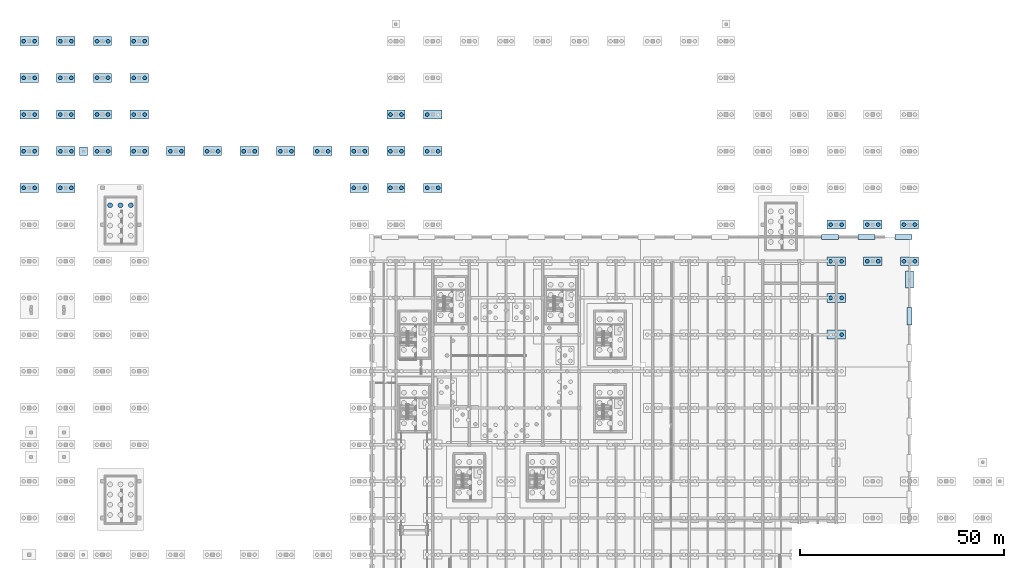
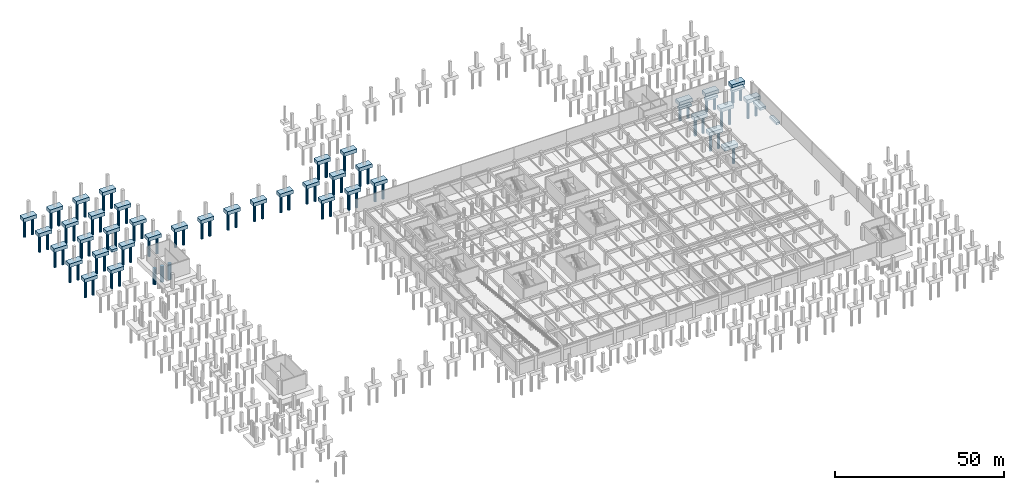
# One storey, part 8 of 27: 79 piles, 45 footings.
"""IFC4 building model written with IfcOpenShell, lengths in metres."""

from ifc_helpers import new_model, si_unit, direction, frame, origin, origin_2d, place, context, subcontext, project, spatial, polyline, circle, outline, extrude, material, layer, layer_set, material_profile, profile_set, type_object, element, save


model = new_model("IFC4")

# Units and contexts
model_context = context("Model", 3, precision=1e-05, world=origin(), true_north=direction((0.0, 1.0)))
body_context = subcontext(model_context, "Body", "Model", "MODEL_VIEW")
ifc_project = project(units=[si_unit("LENGTHUNIT", "METRE"), si_unit("AREAUNIT", "SQUARE_METRE"), si_unit("VOLUMEUNIT", "CUBIC_METRE"), si_unit("PLANEANGLEUNIT", "RADIAN"), si_unit("MASSUNIT", "GRAM", prefix="KILO")], contexts=[model_context])

# Site, building, storey
site_placement = place(None, origin())
site = spatial("IfcSite", under=ifc_project, at=site_placement, CompositionType="ELEMENT")
building_placement = place(site_placement, origin())
building = spatial("IfcBuilding", under=site, at=building_placement, Name="Dornveld Trade and Exhibition Forum", CompositionType="ELEMENT")
storey_placement = place(building_placement, frame((0.0, 0.0, -4.800048828125)))
storey = spatial("IfcBuildingStorey", under=building, at=storey_placement, Name="B1", CompositionType="ELEMENT", Elevation=-4.800048828125)

# Footings
ifc_material_1 = material(Name="Concrete C40/50", Category="concrete")
ifc_layer_1 = layer(ifc_material_1, 1.300048828125)
ifc_layer_set_1 = layer_set([ifc_layer_1], Name="Concrete C40/50")
footing_type_1 = type_object("IfcFootingType", Name="FT-CAP-2P", PredefinedType="PILE_CAP", material=ifc_layer_set_1)
footing_1_placement = place(storey_placement, frame((0.0, 0.0, -1.75)))
element("IfcFooting", 1, at=footing_1_placement, inside=storey, type_object=footing_type_1, Name="Multi-pile cap 22", PredefinedType="PILE_CAP", context=body_context, shape_type="SweptSolid", body=[
    extrude(outline(polyline([(-2.25, 124.89990234375), (2.25, 124.89990234375), (2.25, 127.10009765625), (-2.25, 127.10009765625), (-2.25, 124.89990234375)])), origin(), (0.0, 0.0, 1.0), 1.300048828125),
])
footing_2_placement = place(storey_placement, frame((0.0, 0.0, -1.75)))
element("IfcFooting", 2, at=footing_2_placement, inside=storey, type_object=footing_type_1, Name="Multi-pile cap 23", PredefinedType="PILE_CAP", context=body_context, shape_type="SweptSolid", body=[
    extrude(outline(polyline([(-2.25, 133.89990234375), (2.25, 133.89990234375), (2.25, 136.10009765625), (-2.25, 136.10009765625), (-2.25, 133.89990234375)])), origin(), (0.0, 0.0, 1.0), 1.300048828125),
])
footing_3_placement = place(storey_placement, frame((0.0, 0.0, -1.75)))
element("IfcFooting", 3, at=footing_3_placement, inside=storey, type_object=footing_type_1, Name="Multi-pile cap 24", PredefinedType="PILE_CAP", context=body_context, shape_type="SweptSolid", body=[
    extrude(outline(polyline([(-2.25, 142.89990234375), (2.25, 142.89990234375), (2.25, 145.10009765625), (-2.25, 145.10009765625), (-2.25, 142.89990234375)])), origin(), (0.0, 0.0, 1.0), 1.300048828125),
])
footing_4_placement = place(storey_placement, frame((0.0, 0.0, -1.75)))
element("IfcFooting", 4, at=footing_4_placement, inside=storey, type_object=footing_type_1, Name="Multi-pile cap 25", PredefinedType="PILE_CAP", context=body_context, shape_type="SweptSolid", body=[
    extrude(outline(polyline([(-2.25, 151.89990234375), (2.25, 151.89990234375), (2.25, 154.10009765625), (-2.25, 154.10009765625), (-2.25, 151.89990234375)])), origin(), (0.0, 0.0, 1.0), 1.300048828125),
])
footing_5_placement = place(storey_placement, frame((0.0, 0.0, -1.75)))
element("IfcFooting", 5, at=footing_5_placement, inside=storey, type_object=footing_type_1, Name="Multi-pile cap 26", PredefinedType="PILE_CAP", context=body_context, shape_type="SweptSolid", body=[
    extrude(outline(polyline([(-2.25, 160.89990234375), (2.25, 160.89990234375), (2.25, 163.10009765625), (-2.25, 163.10009765625), (-2.25, 160.89990234375)])), origin(), (0.0, 0.0, 1.0), 1.300048828125),
])
footing_6_placement = place(storey_placement, frame((0.0, 0.0, -1.75)))
element("IfcFooting", 6, at=footing_6_placement, inside=storey, type_object=footing_type_1, Name="Multi-pile cap 41", PredefinedType="PILE_CAP", context=body_context, shape_type="SweptSolid", body=[
    extrude(outline(polyline([(6.75, 124.89990234375), (11.25, 124.89990234375), (11.25, 127.10009765625), (6.75, 127.10009765625), (6.75, 124.89990234375)])), origin(), (0.0, 0.0, 1.0), 1.300048828125),
])
footing_7_placement = place(storey_placement, frame((0.0, 0.0, -1.75)))
element("IfcFooting", 7, at=footing_7_placement, inside=storey, type_object=footing_type_1, Name="Multi-pile cap 42", PredefinedType="PILE_CAP", context=body_context, shape_type="SweptSolid", body=[
    extrude(outline(polyline([(6.75, 133.89990234375), (11.25, 133.89990234375), (11.25, 136.10009765625), (6.75, 136.10009765625), (6.75, 133.89990234375)])), origin(), (0.0, 0.0, 1.0), 1.300048828125),
])
footing_8_placement = place(storey_placement, frame((0.0, 0.0, -1.75)))
element("IfcFooting", 8, at=footing_8_placement, inside=storey, type_object=footing_type_1, Name="Multi-pile cap 43", PredefinedType="PILE_CAP", context=body_context, shape_type="SweptSolid", body=[
    extrude(outline(polyline([(6.75, 142.89990234375), (11.25, 142.89990234375), (11.25, 145.10009765625), (6.75, 145.10009765625), (6.75, 142.89990234375)])), origin(), (0.0, 0.0, 1.0), 1.300048828125),
])
footing_9_placement = place(storey_placement, frame((0.0, 0.0, -1.75)))
element("IfcFooting", 9, at=footing_9_placement, inside=storey, type_object=footing_type_1, Name="Multi-pile cap 44", PredefinedType="PILE_CAP", context=body_context, shape_type="SweptSolid", body=[
    extrude(outline(polyline([(6.75, 151.89990234375), (11.25, 151.89990234375), (11.25, 154.10009765625), (6.75, 154.10009765625), (6.75, 151.89990234375)])), origin(), (0.0, 0.0, 1.0), 1.300048828125),
])
footing_10_placement = place(storey_placement, frame((0.0, 0.0, -1.75)))
element("IfcFooting", 10, at=footing_10_placement, inside=storey, type_object=footing_type_1, Name="Multi-pile cap 45", PredefinedType="PILE_CAP", context=body_context, shape_type="SweptSolid", body=[
    extrude(outline(polyline([(6.75, 160.89990234375), (11.25, 160.89990234375), (11.25, 163.10009765625), (6.75, 163.10009765625), (6.75, 160.89990234375)])), origin(), (0.0, 0.0, 1.0), 1.300048828125),
])
footing_11_placement = place(storey_placement, frame((0.0, 0.0, -1.75)))
element("IfcFooting", 11, at=footing_11_placement, inside=storey, type_object=footing_type_1, Name="Multi-pile cap 56", PredefinedType="PILE_CAP", context=body_context, shape_type="SweptSolid", body=[
    extrude(outline(polyline([(15.75, 133.89990234375), (20.25, 133.89990234375), (20.25, 136.10009765625), (15.75, 136.10009765625), (15.75, 133.89990234375)])), origin(), (0.0, 0.0, 1.0), 1.300048828125),
])
footing_12_placement = place(storey_placement, frame((0.0, 0.0, -1.75)))
element("IfcFooting", 12, at=footing_12_placement, inside=storey, type_object=footing_type_1, Name="Multi-pile cap 57", PredefinedType="PILE_CAP", context=body_context, shape_type="SweptSolid", body=[
    extrude(outline(polyline([(15.75, 142.89990234375), (20.25, 142.89990234375), (20.25, 145.10009765625), (15.75, 145.10009765625), (15.75, 142.89990234375)])), origin(), (0.0, 0.0, 1.0), 1.300048828125),
])
footing_13_placement = place(storey_placement, frame((0.0, 0.0, -1.75)))
element("IfcFooting", 13, at=footing_13_placement, inside=storey, type_object=footing_type_1, Name="Multi-pile cap 58", PredefinedType="PILE_CAP", context=body_context, shape_type="SweptSolid", body=[
    extrude(outline(polyline([(15.75, 151.89990234375), (20.25, 151.89990234375), (20.25, 154.10009765625), (15.75, 154.10009765625), (15.75, 151.89990234375)])), origin(), (0.0, 0.0, 1.0), 1.300048828125),
])
footing_14_placement = place(storey_placement, frame((0.0, 0.0, -1.75)))
element("IfcFooting", 14, at=footing_14_placement, inside=storey, type_object=footing_type_1, Name="Multi-pile cap 59", PredefinedType="PILE_CAP", context=body_context, shape_type="SweptSolid", body=[
    extrude(outline(polyline([(15.75, 160.89990234375), (20.25, 160.89990234375), (20.25, 163.10009765625), (15.75, 163.10009765625), (15.75, 160.89990234375)])), origin(), (0.0, 0.0, 1.0), 1.300048828125),
])
footing_15_placement = place(storey_placement, frame((0.0, 0.0, -1.75)))
element("IfcFooting", 15, at=footing_15_placement, inside=storey, type_object=footing_type_1, Name="Multi-pile cap 67", PredefinedType="PILE_CAP", context=body_context, shape_type="SweptSolid", body=[
    extrude(outline(polyline([(24.75, 133.89990234375), (29.25, 133.89990234375), (29.25, 136.10009765625), (24.75, 136.10009765625), (24.75, 133.89990234375)])), origin(), (0.0, 0.0, 1.0), 1.300048828125),
])
footing_16_placement = place(storey_placement, frame((0.0, 0.0, -1.75)))
element("IfcFooting", 16, at=footing_16_placement, inside=storey, type_object=footing_type_1, Name="Multi-pile cap 68", PredefinedType="PILE_CAP", context=body_context, shape_type="SweptSolid", body=[
    extrude(outline(polyline([(24.75, 142.89990234375), (29.25, 142.89990234375), (29.25, 145.10009765625), (24.75, 145.10009765625), (24.75, 142.89990234375)])), origin(), (0.0, 0.0, 1.0), 1.300048828125),
])
footing_17_placement = place(storey_placement, frame((0.0, 0.0, -1.75)))
element("IfcFooting", 17, at=footing_17_placement, inside=storey, type_object=footing_type_1, Name="Multi-pile cap 69", PredefinedType="PILE_CAP", context=body_context, shape_type="SweptSolid", body=[
    extrude(outline(polyline([(24.75, 151.89990234375), (29.25, 151.89990234375), (29.25, 154.10009765625), (24.75, 154.10009765625), (24.75, 151.89990234375)])), origin(), (0.0, 0.0, 1.0), 1.300048828125),
])
footing_18_placement = place(storey_placement, frame((0.0, 0.0, -1.75)))
element("IfcFooting", 18, at=footing_18_placement, inside=storey, type_object=footing_type_1, Name="Multi-pile cap 70", PredefinedType="PILE_CAP", context=body_context, shape_type="SweptSolid", body=[
    extrude(outline(polyline([(24.75, 160.89990234375), (29.25, 160.89990234375), (29.25, 163.10009765625), (24.75, 163.10009765625), (24.75, 160.89990234375)])), origin(), (0.0, 0.0, 1.0), 1.300048828125),
])
footing_19_placement = place(storey_placement, frame((0.0, 0.0, -1.75)))
element("IfcFooting", 19, at=footing_19_placement, inside=storey, type_object=footing_type_1, Name="Multi-pile cap 72", PredefinedType="PILE_CAP", context=body_context, shape_type="SweptSolid", body=[
    extrude(outline(polyline([(33.75, 133.89990234375), (38.25, 133.89990234375), (38.25, 136.10009765625), (33.75, 136.10009765625), (33.75, 133.89990234375)])), origin(), (0.0, 0.0, 1.0), 1.300048828125),
])
footing_20_placement = place(storey_placement, frame((0.0, 0.0, -1.75)))
element("IfcFooting", 20, at=footing_20_placement, inside=storey, type_object=footing_type_1, Name="Multi-pile cap 74", PredefinedType="PILE_CAP", context=body_context, shape_type="SweptSolid", body=[
    extrude(outline(polyline([(42.75, 133.89990234375), (47.25, 133.89990234375), (47.25, 136.10009765625), (42.75, 136.10009765625), (42.75, 133.89990234375)])), origin(), (0.0, 0.0, 1.0), 1.300048828125),
])
footing_21_placement = place(storey_placement, frame((0.0, 0.0, -1.75)))
element("IfcFooting", 21, at=footing_21_placement, inside=storey, type_object=footing_type_1, Name="Multi-pile cap 76", PredefinedType="PILE_CAP", context=body_context, shape_type="SweptSolid", body=[
    extrude(outline(polyline([(51.75, 133.89990234375), (56.25, 133.89990234375), (56.25, 136.10009765625), (51.75, 136.10009765625), (51.75, 133.89990234375)])), origin(), (0.0, 0.0, 1.0), 1.300048828125),
])
footing_22_placement = place(storey_placement, frame((0.0, 0.0, -1.75)))
element("IfcFooting", 22, at=footing_22_placement, inside=storey, type_object=footing_type_1, Name="Multi-pile cap 78", PredefinedType="PILE_CAP", context=body_context, shape_type="SweptSolid", body=[
    extrude(outline(polyline([(60.75, 133.89990234375), (65.25, 133.89990234375), (65.25, 136.10009765625), (60.75, 136.10009765625), (60.75, 133.89990234375)])), origin(), (0.0, 0.0, 1.0), 1.300048828125),
])
footing_23_placement = place(storey_placement, frame((0.0, 0.0, -1.75)))
element("IfcFooting", 23, at=footing_23_placement, inside=storey, type_object=footing_type_1, Name="Multi-pile cap 80", PredefinedType="PILE_CAP", context=body_context, shape_type="SweptSolid", body=[
    extrude(outline(polyline([(69.75, 133.89990234375), (74.25, 133.89990234375), (74.25, 136.10009765625), (69.75, 136.10009765625), (69.75, 133.89990234375)])), origin(), (0.0, 0.0, 1.0), 1.300048828125),
])
footing_24_placement = place(storey_placement, frame((0.0, 0.0, -1.75)))
element("IfcFooting", 24, at=footing_24_placement, inside=storey, type_object=footing_type_1, Name="Multi-pile cap 91", PredefinedType="PILE_CAP", context=body_context, shape_type="SweptSolid", body=[
    extrude(outline(polyline([(78.75, 124.89990234375), (83.25, 124.89990234375), (83.25, 127.10009765625), (78.75, 127.10009765625), (78.75, 124.89990234375)])), origin(), (0.0, 0.0, 1.0), 1.300048828125),
])
footing_25_placement = place(storey_placement, frame((0.0, 0.0, -1.75)))
element("IfcFooting", 25, at=footing_25_placement, inside=storey, type_object=footing_type_1, Name="Multi-pile cap 92", PredefinedType="PILE_CAP", context=body_context, shape_type="SweptSolid", body=[
    extrude(outline(polyline([(78.75, 133.89990234375), (83.25, 133.89990234375), (83.25, 136.10009765625), (78.75, 136.10009765625), (78.75, 133.89990234375)])), origin(), (0.0, 0.0, 1.0), 1.300048828125),
])
footing_26_placement = place(storey_placement, frame((0.0, 0.0, -1.75)))
element("IfcFooting", 26, at=footing_26_placement, inside=storey, type_object=footing_type_1, Name="Multi-pile cap 105", PredefinedType="PILE_CAP", context=body_context, shape_type="SweptSolid", body=[
    extrude(outline(polyline([(87.75, 124.89990234375), (92.25, 124.89990234375), (92.25, 127.10009765625), (87.75, 127.10009765625), (87.75, 124.89990234375)])), origin(), (0.0, 0.0, 1.0), 1.300048828125),
])
footing_27_placement = place(storey_placement, frame((0.0, 0.0, -1.75)))
element("IfcFooting", 27, at=footing_27_placement, inside=storey, type_object=footing_type_1, Name="Multi-pile cap 106", PredefinedType="PILE_CAP", context=body_context, shape_type="SweptSolid", body=[
    extrude(outline(polyline([(87.75, 133.89990234375), (92.25, 133.89990234375), (92.25, 136.10009765625), (87.75, 136.10009765625), (87.75, 133.89990234375)])), origin(), (0.0, 0.0, 1.0), 1.300048828125),
])
footing_28_placement = place(storey_placement, frame((0.0, 0.0, -1.75)))
element("IfcFooting", 28, at=footing_28_placement, inside=storey, type_object=footing_type_1, Name="Multi-pile cap 107", PredefinedType="PILE_CAP", context=body_context, shape_type="SweptSolid", body=[
    extrude(outline(polyline([(87.75, 142.89990234375), (92.25, 142.89990234375), (92.25, 145.10009765625), (87.75, 145.10009765625), (87.75, 142.89990234375)])), origin(), (0.0, 0.0, 1.0), 1.300048828125),
])
footing_29_placement = place(storey_placement, frame((0.0, 0.0, -1.75)))
element("IfcFooting", 29, at=footing_29_placement, inside=storey, type_object=footing_type_1, Name="Multi-pile cap 119", PredefinedType="PILE_CAP", context=body_context, shape_type="SweptSolid", body=[
    extrude(outline(polyline([(96.75, 124.89990234375), (101.25, 124.89990234375), (101.25, 127.10009765625), (96.75, 127.10009765625), (96.75, 124.89990234375)])), origin(), (0.0, 0.0, 1.0), 1.300048828125),
])
footing_30_placement = place(storey_placement, frame((0.0, 0.0, -1.75)))
element("IfcFooting", 30, at=footing_30_placement, inside=storey, type_object=footing_type_1, Name="Multi-pile cap 120", PredefinedType="PILE_CAP", context=body_context, shape_type="SweptSolid", body=[
    extrude(outline(polyline([(96.75, 133.89990234375), (101.25, 133.89990234375), (101.25, 136.10009765625), (96.75, 136.10009765625), (96.75, 133.89990234375)])), origin(), (0.0, 0.0, 1.0), 1.300048828125),
])
footing_31_placement = place(storey_placement, frame((0.0, 0.0, -1.75)))
element("IfcFooting", 31, at=footing_31_placement, inside=storey, type_object=footing_type_1, Name="Multi-pile cap 121", PredefinedType="PILE_CAP", context=body_context, shape_type="SweptSolid", body=[
    extrude(outline(polyline([(96.75, 142.89990234375), (101.25, 142.89990234375), (101.25, 145.10009765625), (96.75, 145.10009765625), (96.75, 142.89990234375)])), origin(), (0.0, 0.0, 1.0), 1.300048828125),
])
footing_32_placement = place(storey_placement, frame((0.0, 0.0, -1.75)))
element("IfcFooting", 32, at=footing_32_placement, inside=storey, type_object=footing_type_1, Name="Multi-pile cap 264", PredefinedType="PILE_CAP", context=body_context, shape_type="SweptSolid", body=[
    extrude(outline(polyline([(195.75, 88.89990234375), (200.25, 88.89990234375), (200.25, 91.10009765625), (195.75, 91.10009765625), (195.75, 88.89990234375)])), origin(), (0.0, 0.0, 1.0), 1.300048828125),
])
footing_33_placement = place(storey_placement, frame((0.0, 0.0, -1.75)))
element("IfcFooting", 33, at=footing_33_placement, inside=storey, type_object=footing_type_1, Name="Multi-pile cap 265", PredefinedType="PILE_CAP", context=body_context, shape_type="SweptSolid", body=[
    extrude(outline(polyline([(195.75, 97.89990234375), (200.25, 97.89990234375), (200.25, 100.10009765625), (195.75, 100.10009765625), (195.75, 97.89990234375)])), origin(), (0.0, 0.0, 1.0), 1.300048828125),
])
footing_34_placement = place(storey_placement, frame((0.0, 0.0, -1.75)))
element("IfcFooting", 34, at=footing_34_placement, inside=storey, type_object=footing_type_1, Name="Multi-pile cap 266", PredefinedType="PILE_CAP", context=body_context, shape_type="SweptSolid", body=[
    extrude(outline(polyline([(195.75, 106.89990234375), (200.25, 106.89990234375), (200.25, 109.10009765625), (195.75, 109.10009765625), (195.75, 106.89990234375)])), origin(), (0.0, 0.0, 1.0), 1.300048828125),
])
footing_35_placement = place(storey_placement, frame((0.0, 0.0, -1.75)))
element("IfcFooting", 35, at=footing_35_placement, inside=storey, type_object=footing_type_1, Name="Multi-pile cap 267", PredefinedType="PILE_CAP", context=body_context, shape_type="SweptSolid", body=[
    extrude(outline(polyline([(195.75, 115.89990234375), (200.25, 115.89990234375), (200.25, 118.10009765625), (195.75, 118.10009765625), (195.75, 115.89990234375)])), origin(), (0.0, 0.0, 1.0), 1.300048828125),
])
footing_36_placement = place(storey_placement, frame((0.0, 0.0, -1.75)))
element("IfcFooting", 36, at=footing_36_placement, inside=storey, type_object=footing_type_1, Name="Multi-pile cap 276", PredefinedType="PILE_CAP", context=body_context, shape_type="SweptSolid", body=[
    extrude(outline(polyline([(204.75, 106.89990234375), (209.25, 106.89990234375), (209.25, 109.10009765625), (204.75, 109.10009765625), (204.75, 106.89990234375)])), origin(), (0.0, 0.0, 1.0), 1.300048828125),
])
footing_37_placement = place(storey_placement, frame((0.0, 0.0, -1.75)))
element("IfcFooting", 37, at=footing_37_placement, inside=storey, type_object=footing_type_1, Name="Multi-pile cap 277", PredefinedType="PILE_CAP", context=body_context, shape_type="SweptSolid", body=[
    extrude(outline(polyline([(204.75, 115.89990234375), (209.25, 115.89990234375), (209.25, 118.10009765625), (204.75, 118.10009765625), (204.75, 115.89990234375)])), origin(), (0.0, 0.0, 1.0), 1.300048828125),
])
footing_38_placement = place(storey_placement, frame((0.0, 0.0, -1.75)))
element("IfcFooting", 38, at=footing_38_placement, inside=storey, type_object=footing_type_1, Name="Multi-pile cap 286", PredefinedType="PILE_CAP", context=body_context, shape_type="SweptSolid", body=[
    extrude(outline(polyline([(213.75, 106.89990234375), (218.25, 106.89990234375), (218.25, 109.10009765625), (213.75, 109.10009765625), (213.75, 106.89990234375)])), origin(), (0.0, 0.0, 1.0), 1.300048828125),
])
footing_39_placement = place(storey_placement, frame((0.0, 0.0, -1.75)))
element("IfcFooting", 39, at=footing_39_placement, inside=storey, type_object=footing_type_1, Name="Multi-pile cap 287", PredefinedType="PILE_CAP", context=body_context, shape_type="SweptSolid", body=[
    extrude(outline(polyline([(213.75, 115.89990234375), (218.25, 115.89990234375), (218.25, 118.10009765625), (213.75, 118.10009765625), (213.75, 115.89990234375)])), origin(), (0.0, 0.0, 1.0), 1.300048828125),
])
ifc_material_2 = material(Name="Concrete C40/50", Category="concrete")
ifc_layer_2 = layer(ifc_material_2, 0.89990234375)
ifc_layer_set_2 = layer_set([ifc_layer_2], Name="Concrete C40/50")
footing_type_2 = type_object("IfcFootingType", Name="FT-PAD-CAN", PredefinedType="PAD_FOOTING", material=ifc_layer_set_2)
footing_40_placement = place(storey_placement, frame((0.0, 0.0, -1.349853515625)))
element("IfcFooting", 40, at=footing_40_placement, inside=storey, type_object=footing_type_2, Name="Paving edge pad footing 4", PredefinedType="PAD_FOOTING", context=body_context, shape_type="SweptSolid", body=[
    extrude(outline(polyline([(12.300048828125, 134.0), (14.300048828125, 134.0), (14.300048828125, 136.0), (12.300048828125, 136.0), (12.300048828125, 134.0)])), origin(), (0.0, 0.0, 1.0), 0.89990234375),
])
ifc_material_3 = material(Name="Concrete C40/50", Category="concrete")
ifc_layer_3 = layer(ifc_material_3, 0.800048828125)
ifc_layer_set_3 = layer_set([ifc_layer_3], Name="Concrete C40/50")
footing_type_3 = type_object("IfcFootingType", Name="FT-STRIP-900", PredefinedType="STRIP_FOOTING", material=ifc_layer_set_3)
footing_41_placement = place(storey_placement, frame((0.0, 0.0, -1.25)))
element("IfcFooting", 41, at=footing_41_placement, inside=storey, type_object=footing_type_3, Name="Basement perimeter strip footing 11", PredefinedType="STRIP_FOOTING", context=body_context, shape_type="SweptSolid", body=[
    extrude(outline(polyline([(194.39990234375, 113.39990234375), (198.60009765625, 113.39990234375), (198.60009765625, 114.60009765625), (194.39990234375, 114.60009765625), (194.39990234375, 113.39990234375)])), origin(), (0.0, 0.0, 1.0), 0.800048828125),
])
footing_42_placement = place(storey_placement, frame((0.0, 0.0, -1.25)))
element("IfcFooting", 42, at=footing_42_placement, inside=storey, type_object=footing_type_3, Name="Basement perimeter strip footing 12", PredefinedType="STRIP_FOOTING", context=body_context, shape_type="SweptSolid", body=[
    extrude(outline(polyline([(203.39990234375, 113.39990234375), (207.60009765625, 113.39990234375), (207.60009765625, 114.60009765625), (203.39990234375, 114.60009765625), (203.39990234375, 113.39990234375)])), origin(), (0.0, 0.0, 1.0), 0.800048828125),
])
footing_43_placement = place(storey_placement, frame((0.0, 0.0, -1.25)))
element("IfcFooting", 43, at=footing_43_placement, inside=storey, type_object=footing_type_3, Name="Basement perimeter strip footing 13", PredefinedType="STRIP_FOOTING", context=body_context, shape_type="SweptSolid", body=[
    extrude(outline(polyline([(212.39990234375, 113.39990234375), (216.60009765625, 113.39990234375), (216.60009765625, 114.60009765625), (212.39990234375, 114.60009765625), (212.39990234375, 113.39990234375)])), origin(), (0.0, 0.0, 1.0), 0.800048828125),
])
footing_44_placement = place(storey_placement, frame((0.0, 0.0, -1.25)))
element("IfcFooting", 44, at=footing_44_placement, inside=storey, type_object=footing_type_3, Name="Basement perimeter strip footing 31", PredefinedType="STRIP_FOOTING", context=body_context, shape_type="SweptSolid", body=[
    extrude(outline(polyline([(215.39990234375, 92.39990234375), (216.60009765625, 92.39990234375), (216.60009765625, 96.60009765625), (215.39990234375, 96.60009765625), (215.39990234375, 92.39990234375)])), origin(), (0.0, 0.0, 1.0), 0.800048828125),
])
footing_45_placement = place(storey_placement, frame((0.0, 0.0, -1.349853515625)))
element("IfcFooting", 45, at=footing_45_placement, inside=storey, type_object=footing_type_3, Name="Basement perimeter strip footing 32", PredefinedType="STRIP_FOOTING", context=body_context, shape_type="SweptSolid", body=[
    extrude(outline(polyline([(215.0, 101.39990234375), (217.0, 101.39990234375), (217.0, 105.60009765625), (215.0, 105.60009765625), (215.0, 101.39990234375)])), origin(), (0.0, 0.0, 1.0), 0.89990234375),
])

# Piles
ifc_material_4 = material(Name="Concrete C40/50", Category="concrete")
ifc_material_profile_1 = material_profile(ifc_material_4, circle(Radius=0.60009765625, at=origin_2d()), Name="PILE D1200")
ifc_profile_set_1 = profile_set([ifc_material_profile_1], Name="Concrete C40/50")
pile_type_1 = type_object("IfcPileType", Name="PILE-B1200", PredefinedType="BORED", material=ifc_profile_set_1)
for number, where, z_axis, x_axis, name in (
    (46, (19.85009765625, 121.75, -2.14990234375), (0.0, 0.0, -1.0), (1.0, 0.0, 0.0), "CORE-10 rock-socketed bored pile 4"),
    (47, (22.39990234375, 121.75, -2.14990234375), (0.0, 0.0, -1.0), (1.0, 0.0, 0.0), "CORE-10 rock-socketed bored pile 8"),
    (48, (24.949951171875, 121.75, -2.14990234375), (0.0, 0.0, -1.0), (1.0, 0.0, 0.0), "CORE-10 rock-socketed bored pile 12"),
):
    element("IfcPile", number, at=place(storey_placement, frame(where, z_axis=z_axis, x_axis=x_axis)), inside=storey, type_object=pile_type_1, Name=name, PredefinedType="BORED", context=body_context, shape_type="SweptSolid", body=[
        extrude(circle(Radius=0.60009765625, at=origin_2d()), origin(), (0.0, 0.0, 1.0), 5.75),
    ])
ifc_material_5 = material(Name="Concrete C40/50", Category="concrete")
ifc_material_profile_2 = material_profile(ifc_material_5, circle(Radius=0.449951171875, at=origin_2d()), Name="PILE D900")
ifc_profile_set_2 = profile_set([ifc_material_profile_2], Name="Concrete C40/50")
pile_type_2 = type_object("IfcPileType", Name="PILE-B900", PredefinedType="BORED", material=ifc_profile_set_2)
for number, where, z_axis, x_axis, name in (
    (49, (-1.35009765625, 126.0, -1.64990234375), (0.0, 0.0, -1.0), (1.0, 0.0, 0.0), "Cap 22 rock-socketed pile 1"),
    (50, (1.35009765625, 126.0, -1.64990234375), (0.0, 0.0, -1.0), (1.0, 0.0, 0.0), "Cap 22 rock-socketed pile 2"),
    (51, (-1.35009765625, 135.0, -1.64990234375), (0.0, 0.0, -1.0), (1.0, 0.0, 0.0), "Cap 23 rock-socketed pile 1"),
    (52, (1.35009765625, 135.0, -1.64990234375), (0.0, 0.0, -1.0), (1.0, 0.0, 0.0), "Cap 23 rock-socketed pile 2"),
    (53, (-1.35009765625, 144.0, -1.64990234375), (0.0, 0.0, -1.0), (1.0, 0.0, 0.0), "Cap 24 rock-socketed pile 1"),
    (54, (1.35009765625, 144.0, -1.64990234375), (0.0, 0.0, -1.0), (1.0, 0.0, 0.0), "Cap 24 rock-socketed pile 2"),
    (55, (-1.35009765625, 153.0, -1.64990234375), (0.0, 0.0, -1.0), (1.0, 0.0, 0.0), "Cap 25 rock-socketed pile 1"),
    (56, (1.35009765625, 153.0, -1.64990234375), (0.0, 0.0, -1.0), (1.0, 0.0, 0.0), "Cap 25 rock-socketed pile 2"),
    (57, (-1.35009765625, 162.0, -1.64990234375), (0.0, 0.0, -1.0), (1.0, 0.0, 0.0), "Cap 26 rock-socketed pile 1"),
    (58, (1.35009765625, 162.0, -1.64990234375), (0.0, 0.0, -1.0), (1.0, 0.0, 0.0), "Cap 26 rock-socketed pile 2"),
    (59, (7.64990234375, 126.0, -1.64990234375), (0.0, 0.0, -1.0), (1.0, 0.0, 0.0), "Cap 41 rock-socketed pile 1"),
    (60, (10.35009765625, 126.0, -1.64990234375), (0.0, 0.0, -1.0), (1.0, 0.0, 0.0), "Cap 41 rock-socketed pile 2"),
    (61, (7.64990234375, 135.0, -1.64990234375), (0.0, 0.0, -1.0), (1.0, 0.0, 0.0), "Cap 42 rock-socketed pile 1"),
    (62, (10.35009765625, 135.0, -1.64990234375), (0.0, 0.0, -1.0), (1.0, 0.0, 0.0), "Cap 42 rock-socketed pile 2"),
    (63, (7.64990234375, 144.0, -1.64990234375), (0.0, 0.0, -1.0), (1.0, 0.0, 0.0), "Cap 43 rock-socketed pile 1"),
    (64, (10.35009765625, 144.0, -1.64990234375), (0.0, 0.0, -1.0), (1.0, 0.0, 0.0), "Cap 43 rock-socketed pile 2"),
    (65, (7.64990234375, 153.0, -1.64990234375), (0.0, 0.0, -1.0), (1.0, 0.0, 0.0), "Cap 44 rock-socketed pile 1"),
    (66, (10.35009765625, 153.0, -1.64990234375), (0.0, 0.0, -1.0), (1.0, 0.0, 0.0), "Cap 44 rock-socketed pile 2"),
    (67, (7.64990234375, 162.0, -1.64990234375), (0.0, 0.0, -1.0), (1.0, 0.0, 0.0), "Cap 45 rock-socketed pile 1"),
    (68, (10.35009765625, 162.0, -1.64990234375), (0.0, 0.0, -1.0), (1.0, 0.0, 0.0), "Cap 45 rock-socketed pile 2"),
    (69, (16.64990234375, 135.0, -1.64990234375), (0.0, 0.0, -1.0), (1.0, 0.0, 0.0), "Cap 56 rock-socketed pile 1"),
    (70, (19.35009765625, 135.0, -1.64990234375), (0.0, 0.0, -1.0), (1.0, 0.0, 0.0), "Cap 56 rock-socketed pile 2"),
    (71, (16.64990234375, 144.0, -1.64990234375), (0.0, 0.0, -1.0), (1.0, 0.0, 0.0), "Cap 57 rock-socketed pile 1"),
    (72, (19.35009765625, 144.0, -1.64990234375), (0.0, 0.0, -1.0), (1.0, 0.0, 0.0), "Cap 57 rock-socketed pile 2"),
    (73, (16.64990234375, 153.0, -1.64990234375), (0.0, 0.0, -1.0), (1.0, 0.0, 0.0), "Cap 58 rock-socketed pile 1"),
    (74, (19.35009765625, 153.0, -1.64990234375), (0.0, 0.0, -1.0), (1.0, 0.0, 0.0), "Cap 58 rock-socketed pile 2"),
    (75, (16.64990234375, 162.0, -1.64990234375), (0.0, 0.0, -1.0), (1.0, 0.0, 0.0), "Cap 59 rock-socketed pile 1"),
    (76, (19.35009765625, 162.0, -1.64990234375), (0.0, 0.0, -1.0), (1.0, 0.0, 0.0), "Cap 59 rock-socketed pile 2"),
    (77, (25.64990234375, 135.0, -1.64990234375), (0.0, 0.0, -1.0), (1.0, 0.0, 0.0), "Cap 67 rock-socketed pile 1"),
    (78, (28.35009765625, 135.0, -1.64990234375), (0.0, 0.0, -1.0), (1.0, 0.0, 0.0), "Cap 67 rock-socketed pile 2"),
    (79, (25.64990234375, 144.0, -1.64990234375), (0.0, 0.0, -1.0), (1.0, 0.0, 0.0), "Cap 68 rock-socketed pile 1"),
    (80, (28.35009765625, 144.0, -1.64990234375), (0.0, 0.0, -1.0), (1.0, 0.0, 0.0), "Cap 68 rock-socketed pile 2"),
    (81, (25.64990234375, 153.0, -1.64990234375), (0.0, 0.0, -1.0), (1.0, 0.0, 0.0), "Cap 69 rock-socketed pile 1"),
    (82, (28.35009765625, 153.0, -1.64990234375), (0.0, 0.0, -1.0), (1.0, 0.0, 0.0), "Cap 69 rock-socketed pile 2"),
    (83, (25.64990234375, 162.0, -1.64990234375), (0.0, 0.0, -1.0), (1.0, 0.0, 0.0), "Cap 70 rock-socketed pile 1"),
    (84, (28.35009765625, 162.0, -1.64990234375), (0.0, 0.0, -1.0), (1.0, 0.0, 0.0), "Cap 70 rock-socketed pile 2"),
    (85, (34.64990234375, 135.0, -1.64990234375), (0.0, 0.0, -1.0), (1.0, 0.0, 0.0), "Cap 72 rock-socketed pile 1"),
    (86, (37.35009765625, 135.0, -1.64990234375), (0.0, 0.0, -1.0), (1.0, 0.0, 0.0), "Cap 72 rock-socketed pile 2"),
    (87, (43.64990234375, 135.0, -1.64990234375), (0.0, 0.0, -1.0), (1.0, 0.0, 0.0), "Cap 74 rock-socketed pile 1"),
    (88, (46.35009765625, 135.0, -1.64990234375), (0.0, 0.0, -1.0), (1.0, 0.0, 0.0), "Cap 74 rock-socketed pile 2"),
    (89, (52.64990234375, 135.0, -1.64990234375), (0.0, 0.0, -1.0), (1.0, 0.0, 0.0), "Cap 76 rock-socketed pile 1"),
    (90, (55.35009765625, 135.0, -1.64990234375), (0.0, 0.0, -1.0), (1.0, 0.0, 0.0), "Cap 76 rock-socketed pile 2"),
    (91, (61.64990234375, 135.0, -1.64990234375), (0.0, 0.0, -1.0), (1.0, 0.0, 0.0), "Cap 78 rock-socketed pile 1"),
    (92, (64.35009765625, 135.0, -1.64990234375), (0.0, 0.0, -1.0), (1.0, 0.0, 0.0), "Cap 78 rock-socketed pile 2"),
    (93, (70.64990234375, 135.0, -1.64990234375), (0.0, 0.0, -1.0), (1.0, 0.0, 0.0), "Cap 80 rock-socketed pile 1"),
    (94, (73.35009765625, 135.0, -1.64990234375), (0.0, 0.0, -1.0), (1.0, 0.0, 0.0), "Cap 80 rock-socketed pile 2"),
    (95, (79.64990234375, 126.0, -1.64990234375), (0.0, 0.0, -1.0), (1.0, 0.0, 0.0), "Cap 91 rock-socketed pile 1"),
    (96, (82.35009765625, 126.0, -1.64990234375), (0.0, 0.0, -1.0), (1.0, 0.0, 0.0), "Cap 91 rock-socketed pile 2"),
    (97, (79.64990234375, 135.0, -1.64990234375), (0.0, 0.0, -1.0), (1.0, 0.0, 0.0), "Cap 92 rock-socketed pile 1"),
    (98, (82.35009765625, 135.0, -1.64990234375), (0.0, 0.0, -1.0), (1.0, 0.0, 0.0), "Cap 92 rock-socketed pile 2"),
    (99, (88.64990234375, 126.0, -1.64990234375), (0.0, 0.0, -1.0), (1.0, 0.0, 0.0), "Cap 105 rock-socketed pile 1"),
    (100, (91.35009765625, 126.0, -1.64990234375), (0.0, 0.0, -1.0), (1.0, 0.0, 0.0), "Cap 105 rock-socketed pile 2"),
    (101, (88.64990234375, 135.0, -1.64990234375), (0.0, 0.0, -1.0), (1.0, 0.0, 0.0), "Cap 106 rock-socketed pile 1"),
    (102, (91.35009765625, 135.0, -1.64990234375), (0.0, 0.0, -1.0), (1.0, 0.0, 0.0), "Cap 106 rock-socketed pile 2"),
    (103, (88.64990234375, 144.0, -1.64990234375), (0.0, 0.0, -1.0), (1.0, 0.0, 0.0), "Cap 107 rock-socketed pile 1"),
    (104, (91.35009765625, 144.0, -1.64990234375), (0.0, 0.0, -1.0), (1.0, 0.0, 0.0), "Cap 107 rock-socketed pile 2"),
    (105, (97.64990234375, 126.0, -1.64990234375), (0.0, 0.0, -1.0), (1.0, 0.0, 0.0), "Cap 119 rock-socketed pile 1"),
    (106, (100.35009765625, 126.0, -1.64990234375), (0.0, 0.0, -1.0), (1.0, 0.0, 0.0), "Cap 119 rock-socketed pile 2"),
    (107, (97.64990234375, 135.0, -1.64990234375), (0.0, 0.0, -1.0), (1.0, 0.0, 0.0), "Cap 120 rock-socketed pile 1"),
    (108, (100.35009765625, 135.0, -1.64990234375), (0.0, 0.0, -1.0), (1.0, 0.0, 0.0), "Cap 120 rock-socketed pile 2"),
    (109, (97.64990234375, 144.0, -1.64990234375), (0.0, 0.0, -1.0), (1.0, 0.0, 0.0), "Cap 121 rock-socketed pile 1"),
    (110, (199.35009765625, 90.0, -1.64990234375), (0.0, 0.0, -1.0), (1.0, 0.0, 0.0), "Cap 264 rock-socketed pile 2"),
    (111, (196.64990234375, 99.0, -1.64990234375), (0.0, 0.0, -1.0), (1.0, 0.0, 0.0), "Cap 265 rock-socketed pile 1"),
    (112, (199.35009765625, 99.0, -1.64990234375), (0.0, 0.0, -1.0), (1.0, 0.0, 0.0), "Cap 265 rock-socketed pile 2"),
    (113, (196.64990234375, 108.0, -1.64990234375), (0.0, 0.0, -1.0), (1.0, 0.0, 0.0), "Cap 266 rock-socketed pile 1"),
    (114, (199.35009765625, 108.0, -1.64990234375), (0.0, 0.0, -1.0), (1.0, 0.0, 0.0), "Cap 266 rock-socketed pile 2"),
    (115, (196.64990234375, 117.0, -1.64990234375), (0.0, 0.0, -1.0), (1.0, 0.0, 0.0), "Cap 267 rock-socketed pile 1"),
    (116, (199.35009765625, 117.0, -1.64990234375), (0.0, 0.0, -1.0), (1.0, 0.0, 0.0), "Cap 267 rock-socketed pile 2"),
    (117, (205.64990234375, 108.0, -1.64990234375), (0.0, 0.0, -1.0), (1.0, 0.0, 0.0), "Cap 276 rock-socketed pile 1"),
    (118, (208.35009765625, 108.0, -1.64990234375), (0.0, 0.0, -1.0), (1.0, 0.0, 0.0), "Cap 276 rock-socketed pile 2"),
    (119, (205.64990234375, 117.0, -1.64990234375), (0.0, 0.0, -1.0), (1.0, 0.0, 0.0), "Cap 277 rock-socketed pile 1"),
    (120, (208.35009765625, 117.0, -1.64990234375), (0.0, 0.0, -1.0), (1.0, 0.0, 0.0), "Cap 277 rock-socketed pile 2"),
    (121, (214.64990234375, 108.0, -1.64990234375), (0.0, 0.0, -1.0), (1.0, 0.0, 0.0), "Cap 286 rock-socketed pile 1"),
    (122, (217.35009765625, 108.0, -1.64990234375), (0.0, 0.0, -1.0), (1.0, 0.0, 0.0), "Cap 286 rock-socketed pile 2"),
    (123, (214.64990234375, 117.0, -1.64990234375), (0.0, 0.0, -1.0), (1.0, 0.0, 0.0), "Cap 287 rock-socketed pile 1"),
    (124, (217.35009765625, 117.0, -1.64990234375), (0.0, 0.0, -1.0), (1.0, 0.0, 0.0), "Cap 287 rock-socketed pile 2"),
):
    element("IfcPile", number, at=place(storey_placement, frame(where, z_axis=z_axis, x_axis=x_axis)), inside=storey, type_object=pile_type_2, Name=name, PredefinedType="BORED", context=body_context, shape_type="SweptSolid", body=[
        extrude(circle(Radius=0.449951171875, at=origin_2d()), origin(), (0.0, 0.0, 1.0), 6.25),
    ])

save(model, "model.ifc")
